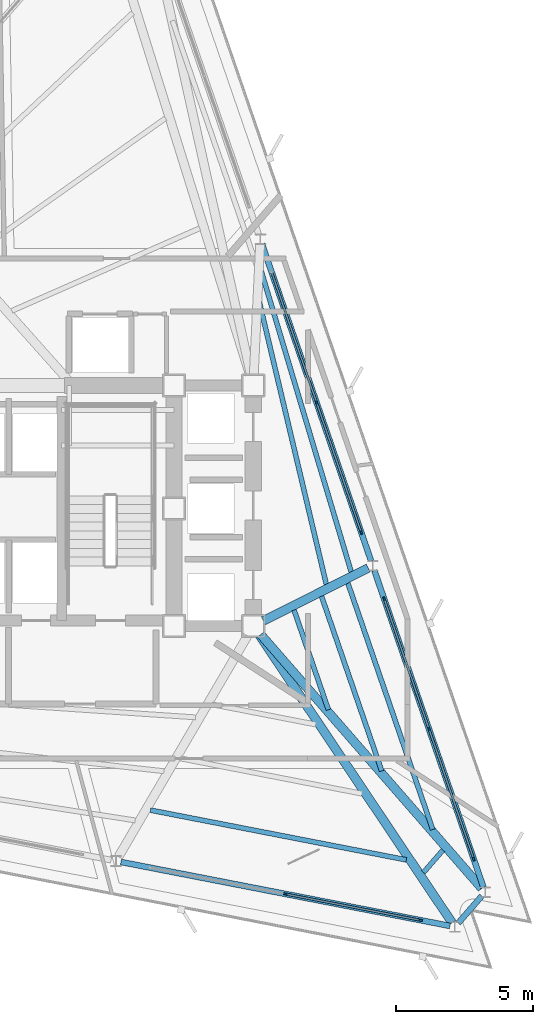
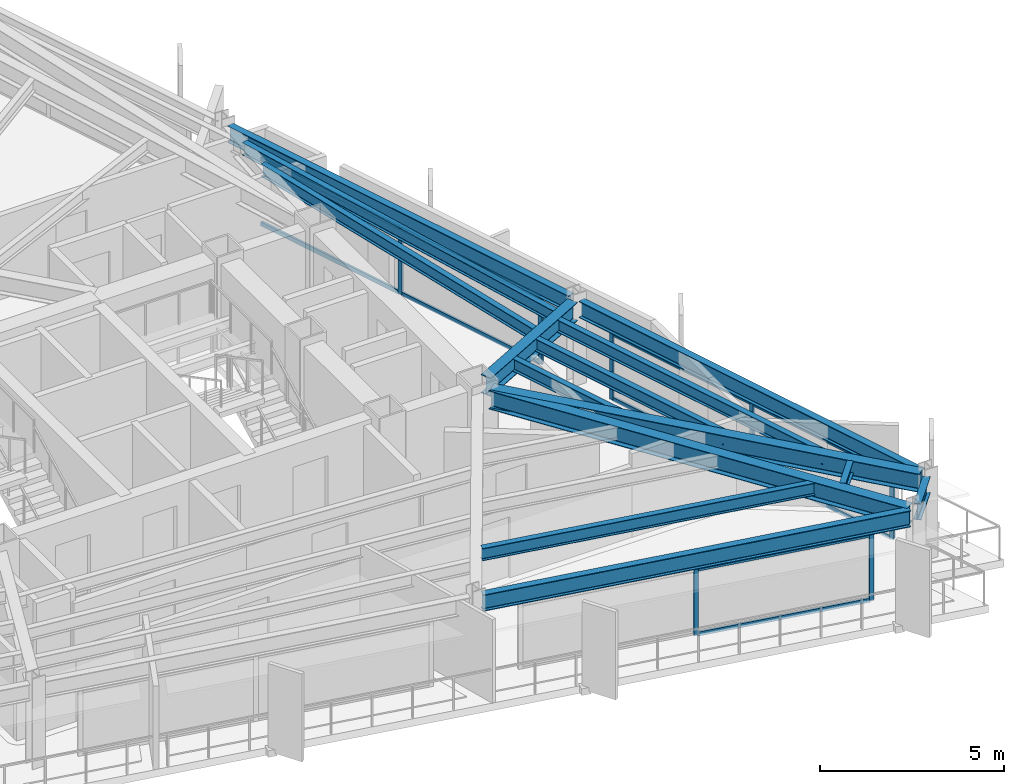
# One storey, part 6 of 13: 17 members, 14 beams, 3 elements without a shape of their own.
"""IFC4 building model written with IfcOpenShell, lengths in metres."""

from ifc_helpers import new_model, si_unit, direction, frame, origin, origin_2d, place, context, subcontext, project, spatial, rectangle, i_section, extrude, material, layer, layer_set, material_profile, profile_set, type_object, element, aggregate, save


model = new_model("IFC4")

# Units and contexts
model_context = context("Model", 3, precision=1e-05, world=origin(), true_north=direction((0.0, 1.0)))
body_context = subcontext(model_context, "Body", "Model", "MODEL_VIEW")
ifc_project = project(units=[si_unit("LENGTHUNIT", "METRE"), si_unit("AREAUNIT", "SQUARE_METRE"), si_unit("VOLUMEUNIT", "CUBIC_METRE"), si_unit("PLANEANGLEUNIT", "RADIAN"), si_unit("MASSUNIT", "GRAM", prefix="KILO")], contexts=[model_context])

# Site, building, storey
site_placement = place(None, origin())
site = spatial("IfcSite", under=ifc_project, at=site_placement, CompositionType="ELEMENT")
building_placement = place(site_placement, origin())
building = spatial("IfcBuilding", under=site, at=building_placement, Name="Rocaltana Carrier Exchange", CompositionType="ELEMENT")
storey_placement = place(building_placement, frame((0.0, 0.0, 159.360107421875)))
storey = spatial("IfcBuildingStorey", under=building, at=storey_placement, Name="L50", CompositionType="ELEMENT", Elevation=159.360107421875)

# Curtain wall, members
ifc_material_1 = material(Name="Aluminium 6063-T6", Category="aluminium")
ifc_layer = layer(ifc_material_1, 0.135009765625)
ifc_layer_set = layer_set([ifc_layer], Name="Aluminium 6063-T6")
curtain_wall_type = type_object("IfcCurtainWallType", Name="Upper-Mid Acoustic Curtain Wall CW-04", PredefinedType="NOTDEFINED", material=ifc_layer_set)
curtain_wall_1_placement = place(storey_placement, origin())
curtain_wall_1 = element("IfcCurtainWall", 1, at=curtain_wall_1_placement, inside=storey, type_object=curtain_wall_type, Name="L50 CW-04 Run CW-L50-F1S1", PredefinedType="NOTDEFINED")
ifc_material_2 = material(Name="Aluminium 6063-T6", Category="aluminium")
ifc_material_profile_1 = material_profile(ifc_material_2, rectangle(XDim=0.06494140625, YDim=0.135009765625, at=origin_2d()), Name="AL-65X135")
ifc_profile_set_1 = profile_set([ifc_material_profile_1], Name="Aluminium 6063-T6")
member_type_1 = type_object("IfcMemberType", Name="CW-04 Mullion AL-65X135", PredefinedType="MULLION", material=ifc_profile_set_1)
member_1_placement = place(storey_placement, frame((17.016357421875, -12.826171875, 0.0), z_axis=(0.0, 0.0, 1.0), x_axis=(-0.945521800517, -0.325558788464, 0.0)))
member_1 = element("IfcMember", 2, at=member_1_placement, type_object=member_type_1, Name="CW-04 mullion 1", PredefinedType="MULLION", context=body_context, shape_type="SweptSolid", body=[
    extrude(rectangle(XDim=0.06494140625, YDim=0.135009765625, at=origin_2d()), origin(), (0.0, 0.0, 1.0), 2.2177734375),
])
member_2_placement = place(storey_placement, frame((15.37744140625, -8.06640625, 0.0), z_axis=(0.0, 0.0, 1.0), x_axis=(-0.945521800517, -0.325558788464, 0.0)))
member_2 = element("IfcMember", 3, at=member_2_placement, type_object=member_type_1, Name="CW-04 mullion 2", PredefinedType="MULLION", context=body_context, shape_type="SweptSolid", body=[
    extrude(rectangle(XDim=0.06494140625, YDim=0.135009765625, at=origin_2d()), origin(), (0.0, 0.0, 1.0), 2.2177734375),
])
member_3_placement = place(storey_placement, frame((13.738525390625, -3.306396484375, 0.0), z_axis=(0.0, 0.0, 1.0), x_axis=(-0.945521800517, -0.325558788464, 0.0)))
member_3 = element("IfcMember", 4, at=member_3_placement, type_object=member_type_1, Name="CW-04 mullion 3", PredefinedType="MULLION", context=body_context, shape_type="SweptSolid", body=[
    extrude(rectangle(XDim=0.06494140625, YDim=0.135009765625, at=origin_2d()), origin(), (0.0, 0.0, 1.0), 2.2177734375),
])

curtain_wall_2_placement = place(storey_placement, origin())
curtain_wall_2 = element("IfcCurtainWall", 5, at=curtain_wall_2_placement, inside=storey, type_object=curtain_wall_type, Name="L50 CW-04 Run CW-L50-F1S2", PredefinedType="NOTDEFINED")
member_4_placement = place(storey_placement, frame((12.9033203125, -0.881103515625, 0.0), z_axis=(0.0, 0.0, 1.0), x_axis=(-0.945520754562, -0.32556182622, 0.0)))
member_4 = element("IfcMember", 6, at=member_4_placement, type_object=member_type_1, Name="CW-04 mullion 1", PredefinedType="MULLION", context=body_context, shape_type="SweptSolid", body=[
    extrude(rectangle(XDim=0.06494140625, YDim=0.135009765625, at=origin_2d()), origin(), (0.0, 0.0, 1.0), 2.2177734375),
])
member_5_placement = place(storey_placement, frame((11.264404296875, 3.878662109375, 0.0), z_axis=(0.0, 0.0, 1.0), x_axis=(-0.945520754562, -0.32556182622, 0.0)))
member_5 = element("IfcMember", 7, at=member_5_placement, type_object=member_type_1, Name="CW-04 mullion 2", PredefinedType="MULLION", context=body_context, shape_type="SweptSolid", body=[
    extrude(rectangle(XDim=0.06494140625, YDim=0.135009765625, at=origin_2d()), origin(), (0.0, 0.0, 1.0), 2.2177734375),
])

curtain_wall_3_placement = place(storey_placement, origin())
curtain_wall_3 = element("IfcCurtainWall", 8, at=curtain_wall_3_placement, inside=storey, type_object=curtain_wall_type, Name="L50 CW-04 Run CW-L50-F3S3", PredefinedType="NOTDEFINED")
member_6_placement = place(storey_placement, frame((10.1279296875, -14.105224609375, 0.0), z_axis=(0.0, 0.0, 1.0), x_axis=(0.190805209699, 0.981627919301, 0.0)))
member_6 = element("IfcMember", 9, at=member_6_placement, type_object=member_type_1, Name="CW-04 mullion 2", PredefinedType="MULLION", context=body_context, shape_type="SweptSolid", body=[
    extrude(rectangle(XDim=0.06494140625, YDim=0.135009765625, at=origin_2d()), origin(), (0.0, 0.0, 1.0), 2.2177734375),
])
member_7_placement = place(storey_placement, frame((15.069580078125, -15.06591796875, 0.0), z_axis=(0.0, 0.0, 1.0), x_axis=(0.190805209699, 0.981627919301, 0.0)))
member_7 = element("IfcMember", 10, at=member_7_placement, type_object=member_type_1, Name="CW-04 mullion 3", PredefinedType="MULLION", context=body_context, shape_type="SweptSolid", body=[
    extrude(rectangle(XDim=0.06494140625, YDim=0.135009765625, at=origin_2d()), origin(), (0.0, 0.0, 1.0), 2.2177734375),
])

# Member
ifc_material_3 = material(Name="Aluminium 6063-T6", Category="aluminium")
ifc_material_profile_2 = material_profile(ifc_material_3, rectangle(XDim=0.06494140625, YDim=0.135009765625, at=origin_2d()), Name="AL-65X135")
ifc_profile_set_2 = profile_set([ifc_material_profile_2], Name="Aluminium 6063-T6")
member_type_2 = type_object("IfcMemberType", Name="CW-04 Transom AL-65X135", PredefinedType="USERDEFINED", material=ifc_profile_set_2)
member_8_placement = place(storey_placement, frame((17.005859375, -12.795654296875, 0.032470703125), z_axis=(-0.325542462737, 0.945527421578, 0.0), x_axis=(-0.945527421578, -0.325542462737, 0.0)))
member_8 = element("IfcMember", 11, at=member_8_placement, type_object=member_type_2, Name="CW-04 transom 1.1", ObjectType="TRANSOM", PredefinedType="USERDEFINED", context=body_context, shape_type="SweptSolid", body=[
    extrude(rectangle(XDim=0.06494140625, YDim=0.135009765625, at=origin_2d()), origin(), (0.0, 0.0, 1.0), 4.96923828125),
])

member_9_placement = place(storey_placement, frame((17.005859375, -12.795654296875, 2.185302734375), z_axis=(-0.325542462737, 0.945527421578, 0.0), x_axis=(-0.945527421578, -0.325542462737, 0.0)))
member_9 = element("IfcMember", 12, at=member_9_placement, type_object=member_type_2, Name="CW-04 transom 1.2", ObjectType="TRANSOM", PredefinedType="USERDEFINED", context=body_context, shape_type="SweptSolid", body=[
    extrude(rectangle(XDim=0.06494140625, YDim=0.135009765625, at=origin_2d()), origin(), (0.0, 0.0, 1.0), 4.96923828125),
])

member_10_placement = place(storey_placement, frame((15.366943359375, -8.03564453125, 0.032470703125), z_axis=(-0.325542462737, 0.945527421578, 0.0), x_axis=(-0.945527421578, -0.325542462737, 0.0)))
member_10 = element("IfcMember", 13, at=member_10_placement, type_object=member_type_2, Name="CW-04 transom 2.1", ObjectType="TRANSOM", PredefinedType="USERDEFINED", context=body_context, shape_type="SweptSolid", body=[
    extrude(rectangle(XDim=0.06494140625, YDim=0.135009765625, at=origin_2d()), origin(), (0.0, 0.0, 1.0), 4.96923828125),
])

member_11_placement = place(storey_placement, frame((15.366943359375, -8.03564453125, 2.185302734375), z_axis=(-0.325542462737, 0.945527421578, 0.0), x_axis=(-0.945527421578, -0.325542462737, 0.0)))
member_11 = element("IfcMember", 14, at=member_11_placement, type_object=member_type_2, Name="CW-04 transom 2.2", ObjectType="TRANSOM", PredefinedType="USERDEFINED", context=body_context, shape_type="SweptSolid", body=[
    extrude(rectangle(XDim=0.06494140625, YDim=0.135009765625, at=origin_2d()), origin(), (0.0, 0.0, 1.0), 4.96923828125),
])

aggregate(curtain_wall_1, [member_1, member_2, member_3, member_8, member_9, member_10, member_11])

member_12_placement = place(storey_placement, frame((12.892822265625, -0.850341796875, 0.032470703125), z_axis=(-0.325557586399, 0.945522214407, 0.0), x_axis=(-0.945522214407, -0.325557586399, 0.0)))
member_12 = element("IfcMember", 15, at=member_12_placement, type_object=member_type_2, Name="CW-04 transom 1.1", ObjectType="TRANSOM", PredefinedType="USERDEFINED", context=body_context, shape_type="SweptSolid", body=[
    extrude(rectangle(XDim=0.06494140625, YDim=0.135009765625, at=origin_2d()), origin(), (0.0, 0.0, 1.0), 4.968994140625),
])

member_13_placement = place(storey_placement, frame((12.892822265625, -0.850341796875, 2.185302734375), z_axis=(-0.325557586399, 0.945522214407, 0.0), x_axis=(-0.945522214407, -0.325557586399, 0.0)))
member_13 = element("IfcMember", 16, at=member_13_placement, type_object=member_type_2, Name="CW-04 transom 1.2", ObjectType="TRANSOM", PredefinedType="USERDEFINED", context=body_context, shape_type="SweptSolid", body=[
    extrude(rectangle(XDim=0.06494140625, YDim=0.135009765625, at=origin_2d()), origin(), (0.0, 0.0, 1.0), 4.968994140625),
])

member_14_placement = place(storey_placement, frame((11.25390625, 3.909423828125, 0.032470703125), z_axis=(-0.325542462737, 0.945527421578, 0.0), x_axis=(-0.945527421578, -0.325542462737, 0.0)))
member_14 = element("IfcMember", 17, at=member_14_placement, type_object=member_type_2, Name="CW-04 transom 2.1", ObjectType="TRANSOM", PredefinedType="USERDEFINED", context=body_context, shape_type="SweptSolid", body=[
    extrude(rectangle(XDim=0.06494140625, YDim=0.135009765625, at=origin_2d()), origin(), (0.0, 0.0, 1.0), 4.96923828125),
])

member_15_placement = place(storey_placement, frame((11.25390625, 3.909423828125, 2.185302734375), z_axis=(-0.325542462737, 0.945527421578, 0.0), x_axis=(-0.945527421578, -0.325542462737, 0.0)))
member_15 = element("IfcMember", 18, at=member_15_placement, type_object=member_type_2, Name="CW-04 transom 2.2", ObjectType="TRANSOM", PredefinedType="USERDEFINED", context=body_context, shape_type="SweptSolid", body=[
    extrude(rectangle(XDim=0.06494140625, YDim=0.135009765625, at=origin_2d()), origin(), (0.0, 0.0, 1.0), 4.96923828125),
])

aggregate(curtain_wall_2, [member_4, member_5, member_12, member_13, member_14, member_15])

member_16_placement = place(storey_placement, frame((10.159912109375, -14.111572265625, 0.032470703125), z_axis=(0.981633795462, -0.190774976365, 0.0), x_axis=(0.190774976365, 0.981633795462, 0.0)))
member_16 = element("IfcMember", 19, at=member_16_placement, type_object=member_type_2, Name="CW-04 transom 2.1", ObjectType="TRANSOM", PredefinedType="USERDEFINED", context=body_context, shape_type="SweptSolid", body=[
    extrude(rectangle(XDim=0.06494140625, YDim=0.135009765625, at=origin_2d()), origin(), (0.0, 0.0, 1.0), 4.96923828125),
])

member_17_placement = place(storey_placement, frame((10.159912109375, -14.111572265625, 2.185302734375), z_axis=(0.981633795462, -0.190774976365, 0.0), x_axis=(0.190774976365, 0.981633795462, 0.0)))
member_17 = element("IfcMember", 20, at=member_17_placement, type_object=member_type_2, Name="CW-04 transom 2.2", ObjectType="TRANSOM", PredefinedType="USERDEFINED", context=body_context, shape_type="SweptSolid", body=[
    extrude(rectangle(XDim=0.06494140625, YDim=0.135009765625, at=origin_2d()), origin(), (0.0, 0.0, 1.0), 4.96923828125),
])

aggregate(curtain_wall_3, [member_6, member_7, member_16, member_17])

# Beams
ifc_material_4 = material(Name="Steel S355", Category="steel")
ifc_material_profile_3 = material_profile(ifc_material_4, i_section(OverallWidth=0.179931640625, OverallDepth=0.4130859375, WebThickness=0.009765625, FlangeThickness=0.01611328125, FilletRadius=0.012939453125, at=origin_2d()), Name="W16X50")
ifc_profile_set_3 = profile_set([ifc_material_profile_3], Name="Steel S355")
beam_type_1 = type_object("IfcBeamType", Name="Floor Joist W16X50", PredefinedType="JOIST", material=ifc_profile_set_3)
beam_1_placement = place(storey_placement, frame((11.698974609375, -7.3662109375, 2.581298828125), z_axis=(-0.325612206056, 0.94550340627, 0.0), x_axis=(-0.94550340627, -0.325612206056, 0.0)))
element("IfcBeam", 21, at=beam_1_placement, inside=storey, type_object=beam_type_1, Name="FJ-L50-01-1", PredefinedType="JOIST", context=body_context, shape_type="SweptSolid", body=[
    extrude(i_section(OverallWidth=0.179931640625, OverallDepth=0.4130859375, WebThickness=0.009765625, FlangeThickness=0.01611328125, FilletRadius=0.012939453125, at=origin_2d()), origin(), (0.0, 0.0, 1.0), 3.85693359375),
])
beam_2_placement = place(storey_placement, frame((13.650390625, -9.606201171875, 2.581298828125), z_axis=(-0.325591245861, 0.945510624276, 0.0), x_axis=(-0.945510624276, -0.325591245861, 0.0)))
element("IfcBeam", 22, at=beam_2_placement, inside=storey, type_object=beam_type_1, Name="FJ-L50-01-2", PredefinedType="JOIST", context=body_context, shape_type="SweptSolid", body=[
    extrude(i_section(OverallWidth=0.179931640625, OverallDepth=0.4130859375, WebThickness=0.009765625, FlangeThickness=0.01611328125, FilletRadius=0.012939453125, at=origin_2d()), origin(), (0.0, 0.0, 1.0), 6.7626953125),
])
beam_3_placement = place(storey_placement, frame((15.5166015625, -11.748779296875, 2.581298828125), z_axis=(-0.325561689651, 0.945520801586, 0.0), x_axis=(-0.945520801586, -0.325561689651, 0.0)))
element("IfcBeam", 23, at=beam_3_placement, inside=storey, type_object=beam_type_1, Name="FJ-L50-01-3", PredefinedType="JOIST", context=body_context, shape_type="SweptSolid", body=[
    extrude(i_section(OverallWidth=0.179931640625, OverallDepth=0.4130859375, WebThickness=0.009765625, FlangeThickness=0.01611328125, FilletRadius=0.012939453125, at=origin_2d()), origin(), (0.0, 0.0, 1.0), 9.541748046875),
])
beam_4_placement = place(storey_placement, frame((11.6240234375, -2.780517578125, 2.581298828125), z_axis=(-0.230805777183, 0.972999842353, 0.0), x_axis=(-0.972999842353, -0.230805777183, 0.0)))
element("IfcBeam", 24, at=beam_4_placement, inside=storey, type_object=beam_type_1, Name="FJ-L50-02-2", PredefinedType="JOIST", context=body_context, shape_type="SweptSolid", body=[
    extrude(i_section(OverallWidth=0.179931640625, OverallDepth=0.4130859375, WebThickness=0.009765625, FlangeThickness=0.01611328125, FilletRadius=0.012939453125, at=origin_2d()), origin(), (0.0, 0.0, 1.0), 10.736328125),
])
beam_5_placement = place(storey_placement, frame((12.533203125, -2.3193359375, 2.581298828125), z_axis=(-0.286621662233, 0.9580438522, 0.0), x_axis=(-0.9580438522, -0.286621662233, 0.0)))
element("IfcBeam", 25, at=beam_5_placement, inside=storey, type_object=beam_type_1, Name="FJ-L50-02-3", PredefinedType="JOIST", context=body_context, shape_type="SweptSolid", body=[
    extrude(i_section(OverallWidth=0.179931640625, OverallDepth=0.4130859375, WebThickness=0.009765625, FlangeThickness=0.01611328125, FilletRadius=0.012939453125, at=origin_2d()), origin(), (0.0, 0.0, 1.0), 11.597900390625),
])
beam_6_placement = place(storey_placement, frame((5.185546875, -11.037841796875, 2.581298828125), z_axis=(0.981630034489, -0.190794327456, 0.0), x_axis=(0.190794327456, 0.981630034489, 0.0)))
element("IfcBeam", 26, at=beam_6_placement, inside=storey, type_object=beam_type_1, Name="FJ-L50-11-3", PredefinedType="JOIST", context=body_context, shape_type="SweptSolid", body=[
    extrude(i_section(OverallWidth=0.179931640625, OverallDepth=0.4130859375, WebThickness=0.009765625, FlangeThickness=0.01611328125, FilletRadius=0.012939453125, at=origin_2d()), origin(), (0.0, 0.0, 1.0), 9.5419921875),
])
beam_7_placement = place(storey_placement, frame((15.176513671875, -13.321044921875, 2.581298828125), z_axis=(0.65606745581, 0.754702254817, 0.0), x_axis=(-0.754702254817, 0.65606745581, 0.0)))
element("IfcBeam", 27, at=beam_7_placement, inside=storey, type_object=beam_type_1, Name="FJ-L50-12-3", PredefinedType="JOIST", context=body_context, shape_type="SweptSolid", body=[
    extrude(i_section(OverallWidth=0.179931640625, OverallDepth=0.4130859375, WebThickness=0.009765625, FlangeThickness=0.01611328125, FilletRadius=0.012939453125, at=origin_2d()), origin(), (0.0, 0.0, 1.0), 1.086669921875),
])
ifc_material_5 = material(Name="Steel S355", Category="steel")
ifc_material_profile_4 = material_profile(ifc_material_5, i_section(OverallWidth=0.323974609375, OverallDepth=0.611083984375, WebThickness=0.0126953125, FlangeThickness=0.01904296875, FilletRadius=0.01611328125, at=origin_2d()), Name="W24X104")
ifc_profile_set_4 = profile_set([ifc_material_profile_4], Name="Steel S355")
beam_type_2 = type_object("IfcBeamType", Name="Radial Girder W24X104", PredefinedType="BEAM", material=ifc_profile_set_4)
beam_8_placement = place(storey_placement, frame((9.223876953125, -4.614501953125, 2.482421875), z_axis=(0.656870571987, -0.754003349898, 0.0), x_axis=(0.754003349898, 0.656870571987, 0.0)))
element("IfcBeam", 28, at=beam_8_placement, inside=storey, type_object=beam_type_2, Name="RG-L50-01", PredefinedType="BEAM", context=body_context, shape_type="SweptSolid", body=[
    extrude(i_section(OverallWidth=0.323974609375, OverallDepth=0.611083984375, WebThickness=0.0126953125, FlangeThickness=0.01904296875, FilletRadius=0.01611328125, at=origin_2d()), origin(), (0.0, 0.0, 1.0), 12.3134765625),
])
beam_9_placement = place(storey_placement, frame((9.322265625, -4.112060546875, 2.482421875), z_axis=(0.892749276304, 0.450553803289, 0.0), x_axis=(-0.450553803289, 0.892749276304, 0.0)))
element("IfcBeam", 29, at=beam_9_placement, inside=storey, type_object=beam_type_2, Name="RG-L50-02", PredefinedType="BEAM", context=body_context, shape_type="SweptSolid", body=[
    extrude(i_section(OverallWidth=0.323974609375, OverallDepth=0.611083984375, WebThickness=0.0126953125, FlangeThickness=0.01904296875, FilletRadius=0.01611328125, at=origin_2d()), origin(), (0.0, 0.0, 1.0), 4.293701171875),
])
beam_10_placement = place(storey_placement, frame((9.18212890625, -4.646484375, 2.482421875), z_axis=(0.556698056757, -0.830714917166, 0.0), x_axis=(0.830714917166, 0.556698056757, 0.0)))
element("IfcBeam", 30, at=beam_10_placement, inside=storey, type_object=beam_type_2, Name="RG-L50-12", PredefinedType="BEAM", context=body_context, shape_type="SweptSolid", body=[
    extrude(i_section(OverallWidth=0.323974609375, OverallDepth=0.611083984375, WebThickness=0.0126953125, FlangeThickness=0.01904296875, FilletRadius=0.01611328125, at=origin_2d()), origin(), (0.0, 0.0, 1.0), 12.65185546875),
])
ifc_material_6 = material(Name="Steel S355", Category="steel")
ifc_material_profile_5 = material_profile(ifc_material_6, i_section(OverallWidth=0.2119140625, OverallDepth=0.5439453125, WebThickness=0.01318359375, FlangeThickness=0.021240234375, FilletRadius=0.014892578125, at=origin_2d()), Name="W21X83")
ifc_profile_set_5 = profile_set([ifc_material_profile_5], Name="Steel S355")
beam_type_3 = type_object("IfcBeamType", Name="Spandrel Edge Beam W21X83", PredefinedType="SPANDREL", material=ifc_profile_set_5)
for number, where, z_axis, x_axis, name in (
    (31, (17.37353515625, -13.863525390625, 2.515869140625), (-0.325566047792, 0.94551930098, 0.0), (-0.94551930098, -0.325566047792, 0.0), "SP-L50-01"),
    (32, (13.260498046875, -1.91845703125, 2.515869140625), (-0.325566047792, 0.94551930098, 0.0), (-0.94551930098, -0.325566047792, 0.0), "SP-L50-02"),
    (33, (4.109619140625, -12.935302734375, 2.515869140625), (0.981625439555, -0.19081796671, 0.0), (0.19081796671, 0.981625439555, 0.0), "SP-L50-11"),
):
    element("IfcBeam", number, at=place(storey_placement, frame(where, z_axis=z_axis, x_axis=x_axis)), inside=storey, type_object=beam_type_3, Name=name, PredefinedType="SPANDREL", context=body_context, shape_type="SweptSolid", body=[
        extrude(i_section(OverallWidth=0.2119140625, OverallDepth=0.5439453125, WebThickness=0.01318359375, FlangeThickness=0.021240234375, FilletRadius=0.014892578125, at=origin_2d()), origin(), (0.0, 0.0, 1.0), 12.26220703125),
    ])
beam_11_placement = place(storey_placement, frame((16.4501953125, -15.17041015625, 2.515869140625), z_axis=(0.656146510071, 0.754633525177, 0.0), x_axis=(-0.754633525177, 0.656146510071, 0.0)))
element("IfcBeam", 34, at=beam_11_placement, inside=storey, type_object=beam_type_3, Name="SP-L50-12", PredefinedType="SPANDREL", context=body_context, shape_type="SweptSolid", body=[
    extrude(i_section(OverallWidth=0.2119140625, OverallDepth=0.5439453125, WebThickness=0.01318359375, FlangeThickness=0.021240234375, FilletRadius=0.014892578125, at=origin_2d()), origin(), (0.0, 0.0, 1.0), 1.313720703125),
])

save(model, "model.ifc")
